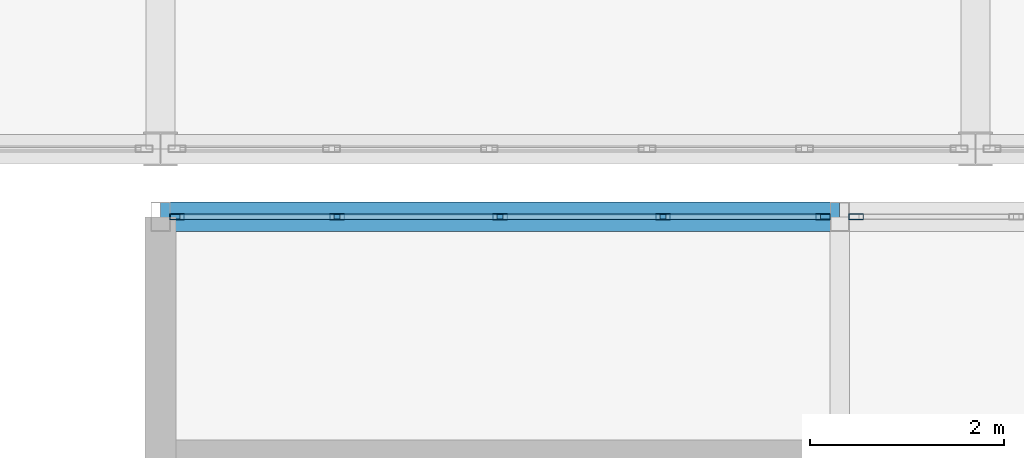
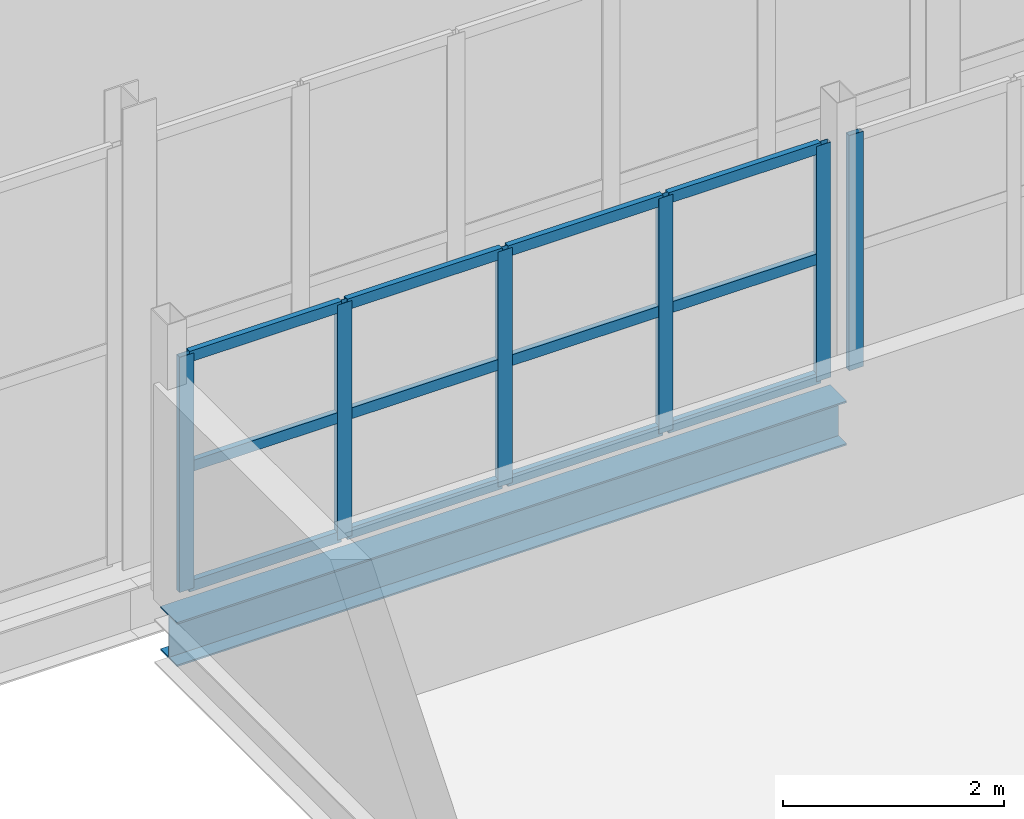
# One storey, part 68 of 218: 18 members, 1 beam, 2 elements without a shape of their own.
"""IFC4 building model written with IfcOpenShell, lengths in metres."""

from ifc_helpers import new_model, si_unit, direction, frame, origin, origin_2d, place, context, subcontext, project, spatial, hollow_rectangle, i_section, extrude, material, material_profile, profile_set, type_object, element, aggregate, save


model = new_model("IFC4")

# Units and contexts
model_context = context("Model", 3, precision=1e-05, world=origin(), true_north=direction((0.0, 1.0)))
body_context = subcontext(model_context, "Body", "Model", "MODEL_VIEW")
ifc_project = project(units=[si_unit("LENGTHUNIT", "METRE"), si_unit("AREAUNIT", "SQUARE_METRE"), si_unit("VOLUMEUNIT", "CUBIC_METRE"), si_unit("PLANEANGLEUNIT", "RADIAN"), si_unit("MASSUNIT", "GRAM", prefix="KILO")], contexts=[model_context])

# Site, building, storey
site_placement = place(None, origin())
site = spatial("IfcSite", under=ifc_project, at=site_placement, CompositionType="ELEMENT")
building_placement = place(site_placement, origin())
building = spatial("IfcBuilding", under=site, at=building_placement, Name="Kazenagashi Tramway Depot", CompositionType="ELEMENT")
storey_placement = place(building_placement, frame((0.0, 0.0, 6.0)))
storey = spatial("IfcBuildingStorey", under=building, at=storey_placement, Name="L02", CompositionType="ELEMENT", Elevation=6.0)

# Curtain wall, members
ifc_material_1 = material(Name="Anodised Aluminium and Low-E Glazing", Category="aluminium")
curtain_wall_type = type_object("IfcCurtainWallType", Name="CW-32", PredefinedType="USERDEFINED", material=ifc_material_1)
curtain_wall_1_placement = place(storey_placement, origin())
curtain_wall_1 = element("IfcCurtainWall", 1, at=curtain_wall_1_placement, inside=storey, type_object=curtain_wall_type, Name="Industrial Glazed Screen CW-32 CW-0174", ObjectType="GLAZED SCREEN", PredefinedType="USERDEFINED")
ifc_material_2 = material(Name="Anodised Aluminium", Category="aluminium")
ifc_material_profile_1 = material_profile(ifc_material_2, hollow_rectangle(XDim=0.06, YDim=0.15, WallThickness=0.004, at=origin_2d()), Name="RHS-150x60x4")
ifc_profile_set_1 = profile_set([ifc_material_profile_1], Name="Anodised Aluminium")
member_type_1 = type_object("IfcMemberType", Name="ML-01", PredefinedType="MULLION", material=ifc_profile_set_1)
member_1_placement = place(storey_placement, frame((103.77, 15.8, 0.0), z_axis=(0.0, 0.0, 1.0), x_axis=(0.0, 1.0, 0.0)))
member_1 = element("IfcMember", 2, at=member_1_placement, type_object=member_type_1, Name="CW-32 mullion 1", PredefinedType="MULLION", context=body_context, shape_type="SweptSolid", body=[
    extrude(hollow_rectangle(XDim=0.06, YDim=0.15, WallThickness=0.004, at=origin_2d()), origin(), (0.0, 0.0, 1.0), 2.6),
])
member_2_placement = place(storey_placement, frame((105.42, 15.8, 0.0), z_axis=(0.0, 0.0, 1.0), x_axis=(0.0, 1.0, 0.0)))
member_2 = element("IfcMember", 3, at=member_2_placement, type_object=member_type_1, Name="CW-32 mullion 2", PredefinedType="MULLION", context=body_context, shape_type="SweptSolid", body=[
    extrude(hollow_rectangle(XDim=0.06, YDim=0.15, WallThickness=0.004, at=origin_2d()), origin(), (0.0, 0.0, 1.0), 2.6),
])
member_3_placement = place(storey_placement, frame((107.1, 15.8, 0.0), z_axis=(0.0, 0.0, 1.0), x_axis=(0.0, 1.0, 0.0)))
member_3 = element("IfcMember", 4, at=member_3_placement, type_object=member_type_1, Name="CW-32 mullion 3", PredefinedType="MULLION", context=body_context, shape_type="SweptSolid", body=[
    extrude(hollow_rectangle(XDim=0.06, YDim=0.15, WallThickness=0.004, at=origin_2d()), origin(), (0.0, 0.0, 1.0), 2.6),
])
member_4_placement = place(storey_placement, frame((108.78, 15.8, 0.0), z_axis=(0.0, 0.0, 1.0), x_axis=(0.0, 1.0, 0.0)))
member_4 = element("IfcMember", 5, at=member_4_placement, type_object=member_type_1, Name="CW-32 mullion 4", PredefinedType="MULLION", context=body_context, shape_type="SweptSolid", body=[
    extrude(hollow_rectangle(XDim=0.06, YDim=0.15, WallThickness=0.004, at=origin_2d()), origin(), (0.0, 0.0, 1.0), 2.6),
])
member_5_placement = place(storey_placement, frame((110.43, 15.8, 0.0), z_axis=(0.0, 0.0, 1.0), x_axis=(0.0, 1.0, 0.0)))
member_5 = element("IfcMember", 6, at=member_5_placement, type_object=member_type_1, Name="CW-32 mullion 5", PredefinedType="MULLION", context=body_context, shape_type="SweptSolid", body=[
    extrude(hollow_rectangle(XDim=0.06, YDim=0.15, WallThickness=0.004, at=origin_2d()), origin(), (0.0, 0.0, 1.0), 2.6),
])

# Curtain wall, member
curtain_wall_2_placement = place(storey_placement, origin())
curtain_wall_2 = element("IfcCurtainWall", 7, at=curtain_wall_2_placement, inside=storey, type_object=curtain_wall_type, Name="Industrial Glazed Screen CW-32 CW-0175", ObjectType="GLAZED SCREEN", PredefinedType="USERDEFINED")
member_6_placement = place(storey_placement, frame((110.77, 15.8, 0.0), z_axis=(0.0, 0.0, 1.0), x_axis=(0.0, 1.0, 0.0)))
member_6 = element("IfcMember", 8, at=member_6_placement, type_object=member_type_1, Name="CW-32 mullion 1", PredefinedType="MULLION", context=body_context, shape_type="SweptSolid", body=[
    extrude(hollow_rectangle(XDim=0.06, YDim=0.15, WallThickness=0.004, at=origin_2d()), origin(), (0.0, 0.0, 1.0), 2.6),
])
aggregate(curtain_wall_2, [member_6])

# Beam
ifc_material_3 = material(Name="Steel SN490B", Category="steel")
ifc_material_profile_2 = material_profile(ifc_material_3, i_section(OverallWidth=0.3, OverallDepth=0.488, WebThickness=0.011, FlangeThickness=0.018, at=origin_2d()), Name="H-488x300x11x18")
ifc_profile_set_2 = profile_set([ifc_material_profile_2], Name="Steel SN490B")
beam_type = type_object("IfcBeamType", Name="SP-02", PredefinedType="SPANDREL", material=ifc_profile_set_2)
beam_placement = place(storey_placement, frame((103.6, 15.8, -0.469), z_axis=(1.0, 0.0, 0.0), x_axis=(0.0, 1.0, 0.0)))
element("IfcBeam", 9, at=beam_placement, inside=storey, type_object=beam_type, Name="Beam SP-02 BM-1602", PredefinedType="SPANDREL", context=body_context, shape_type="SweptSolid", body=[
    extrude(i_section(OverallWidth=0.3, OverallDepth=0.488, WebThickness=0.011, FlangeThickness=0.018, at=origin_2d()), origin(), (0.0, 0.0, 1.0), 7.0),
])

# Member
ifc_material_profile_3 = material_profile(ifc_material_2, hollow_rectangle(XDim=0.06, YDim=0.12, WallThickness=0.004, at=origin_2d()), Name="RHS-120x60x4")
ifc_profile_set_3 = profile_set([ifc_material_profile_3], Name="Anodised Aluminium")
member_type_2 = type_object("IfcMemberType", Name="TR-01", PredefinedType="USERDEFINED", material=ifc_profile_set_3)
member_7_placement = place(storey_placement, frame((103.8, 15.8, 0.03), z_axis=(1.0, 0.0, 0.0), x_axis=(0.0, 1.0, 0.0)))
member_7 = element("IfcMember", 10, at=member_7_placement, type_object=member_type_2, Name="CW-32 transom 1.1", ObjectType="TRANSOM", PredefinedType="USERDEFINED", context=body_context, shape_type="SweptSolid", body=[
    extrude(hollow_rectangle(XDim=0.06, YDim=0.12, WallThickness=0.004, at=origin_2d()), origin(), (0.0, 0.0, 1.0), 1.59),
])

member_8_placement = place(storey_placement, frame((103.8, 15.8, 1.352), z_axis=(1.0, 0.0, 0.0), x_axis=(0.0, 1.0, 0.0)))
member_8 = element("IfcMember", 11, at=member_8_placement, type_object=member_type_2, Name="CW-32 transom 1.2", ObjectType="TRANSOM", PredefinedType="USERDEFINED", context=body_context, shape_type="SweptSolid", body=[
    extrude(hollow_rectangle(XDim=0.06, YDim=0.12, WallThickness=0.004, at=origin_2d()), origin(), (0.0, 0.0, 1.0), 1.59),
])

member_9_placement = place(storey_placement, frame((103.8, 15.8, 2.57), z_axis=(1.0, 0.0, 0.0), x_axis=(0.0, 1.0, 0.0)))
member_9 = element("IfcMember", 12, at=member_9_placement, type_object=member_type_2, Name="CW-32 transom 1.3", ObjectType="TRANSOM", PredefinedType="USERDEFINED", context=body_context, shape_type="SweptSolid", body=[
    extrude(hollow_rectangle(XDim=0.06, YDim=0.12, WallThickness=0.004, at=origin_2d()), origin(), (0.0, 0.0, 1.0), 1.59),
])

member_10_placement = place(storey_placement, frame((105.45, 15.8, 0.03), z_axis=(1.0, 0.0, 0.0), x_axis=(0.0, 1.0, 0.0)))
member_10 = element("IfcMember", 13, at=member_10_placement, type_object=member_type_2, Name="CW-32 transom 2.1", ObjectType="TRANSOM", PredefinedType="USERDEFINED", context=body_context, shape_type="SweptSolid", body=[
    extrude(hollow_rectangle(XDim=0.06, YDim=0.12, WallThickness=0.004, at=origin_2d()), origin(), (0.0, 0.0, 1.0), 1.62),
])

member_11_placement = place(storey_placement, frame((105.45, 15.8, 1.352), z_axis=(1.0, 0.0, 0.0), x_axis=(0.0, 1.0, 0.0)))
member_11 = element("IfcMember", 14, at=member_11_placement, type_object=member_type_2, Name="CW-32 transom 2.2", ObjectType="TRANSOM", PredefinedType="USERDEFINED", context=body_context, shape_type="SweptSolid", body=[
    extrude(hollow_rectangle(XDim=0.06, YDim=0.12, WallThickness=0.004, at=origin_2d()), origin(), (0.0, 0.0, 1.0), 1.62),
])

member_12_placement = place(storey_placement, frame((105.45, 15.8, 2.57), z_axis=(1.0, 0.0, 0.0), x_axis=(0.0, 1.0, 0.0)))
member_12 = element("IfcMember", 15, at=member_12_placement, type_object=member_type_2, Name="CW-32 transom 2.3", ObjectType="TRANSOM", PredefinedType="USERDEFINED", context=body_context, shape_type="SweptSolid", body=[
    extrude(hollow_rectangle(XDim=0.06, YDim=0.12, WallThickness=0.004, at=origin_2d()), origin(), (0.0, 0.0, 1.0), 1.62),
])

member_13_placement = place(storey_placement, frame((107.13, 15.8, 0.03), z_axis=(1.0, 0.0, 0.0), x_axis=(0.0, 1.0, 0.0)))
member_13 = element("IfcMember", 16, at=member_13_placement, type_object=member_type_2, Name="CW-32 transom 3.1", ObjectType="TRANSOM", PredefinedType="USERDEFINED", context=body_context, shape_type="SweptSolid", body=[
    extrude(hollow_rectangle(XDim=0.06, YDim=0.12, WallThickness=0.004, at=origin_2d()), origin(), (0.0, 0.0, 1.0), 1.62),
])

member_14_placement = place(storey_placement, frame((107.13, 15.8, 1.352), z_axis=(1.0, 0.0, 0.0), x_axis=(0.0, 1.0, 0.0)))
member_14 = element("IfcMember", 17, at=member_14_placement, type_object=member_type_2, Name="CW-32 transom 3.2", ObjectType="TRANSOM", PredefinedType="USERDEFINED", context=body_context, shape_type="SweptSolid", body=[
    extrude(hollow_rectangle(XDim=0.06, YDim=0.12, WallThickness=0.004, at=origin_2d()), origin(), (0.0, 0.0, 1.0), 1.62),
])

member_15_placement = place(storey_placement, frame((107.13, 15.8, 2.57), z_axis=(1.0, 0.0, 0.0), x_axis=(0.0, 1.0, 0.0)))
member_15 = element("IfcMember", 18, at=member_15_placement, type_object=member_type_2, Name="CW-32 transom 3.3", ObjectType="TRANSOM", PredefinedType="USERDEFINED", context=body_context, shape_type="SweptSolid", body=[
    extrude(hollow_rectangle(XDim=0.06, YDim=0.12, WallThickness=0.004, at=origin_2d()), origin(), (0.0, 0.0, 1.0), 1.62),
])

member_16_placement = place(storey_placement, frame((108.81, 15.8, 0.03), z_axis=(1.0, 0.0, 0.0), x_axis=(0.0, 1.0, 0.0)))
member_16 = element("IfcMember", 19, at=member_16_placement, type_object=member_type_2, Name="CW-32 transom 4.1", ObjectType="TRANSOM", PredefinedType="USERDEFINED", context=body_context, shape_type="SweptSolid", body=[
    extrude(hollow_rectangle(XDim=0.06, YDim=0.12, WallThickness=0.004, at=origin_2d()), origin(), (0.0, 0.0, 1.0), 1.59),
])

member_17_placement = place(storey_placement, frame((108.81, 15.8, 1.352), z_axis=(1.0, 0.0, 0.0), x_axis=(0.0, 1.0, 0.0)))
member_17 = element("IfcMember", 20, at=member_17_placement, type_object=member_type_2, Name="CW-32 transom 4.2", ObjectType="TRANSOM", PredefinedType="USERDEFINED", context=body_context, shape_type="SweptSolid", body=[
    extrude(hollow_rectangle(XDim=0.06, YDim=0.12, WallThickness=0.004, at=origin_2d()), origin(), (0.0, 0.0, 1.0), 1.59),
])

member_18_placement = place(storey_placement, frame((108.81, 15.8, 2.57), z_axis=(1.0, 0.0, 0.0), x_axis=(0.0, 1.0, 0.0)))
member_18 = element("IfcMember", 21, at=member_18_placement, type_object=member_type_2, Name="CW-32 transom 4.3", ObjectType="TRANSOM", PredefinedType="USERDEFINED", context=body_context, shape_type="SweptSolid", body=[
    extrude(hollow_rectangle(XDim=0.06, YDim=0.12, WallThickness=0.004, at=origin_2d()), origin(), (0.0, 0.0, 1.0), 1.59),
])

aggregate(curtain_wall_1, [member_1, member_2, member_3, member_4, member_5, member_7, member_8, member_9, member_10, member_11, member_12, member_13, member_14, member_15, member_16, member_17, member_18])

save(model, "model.ifc")
